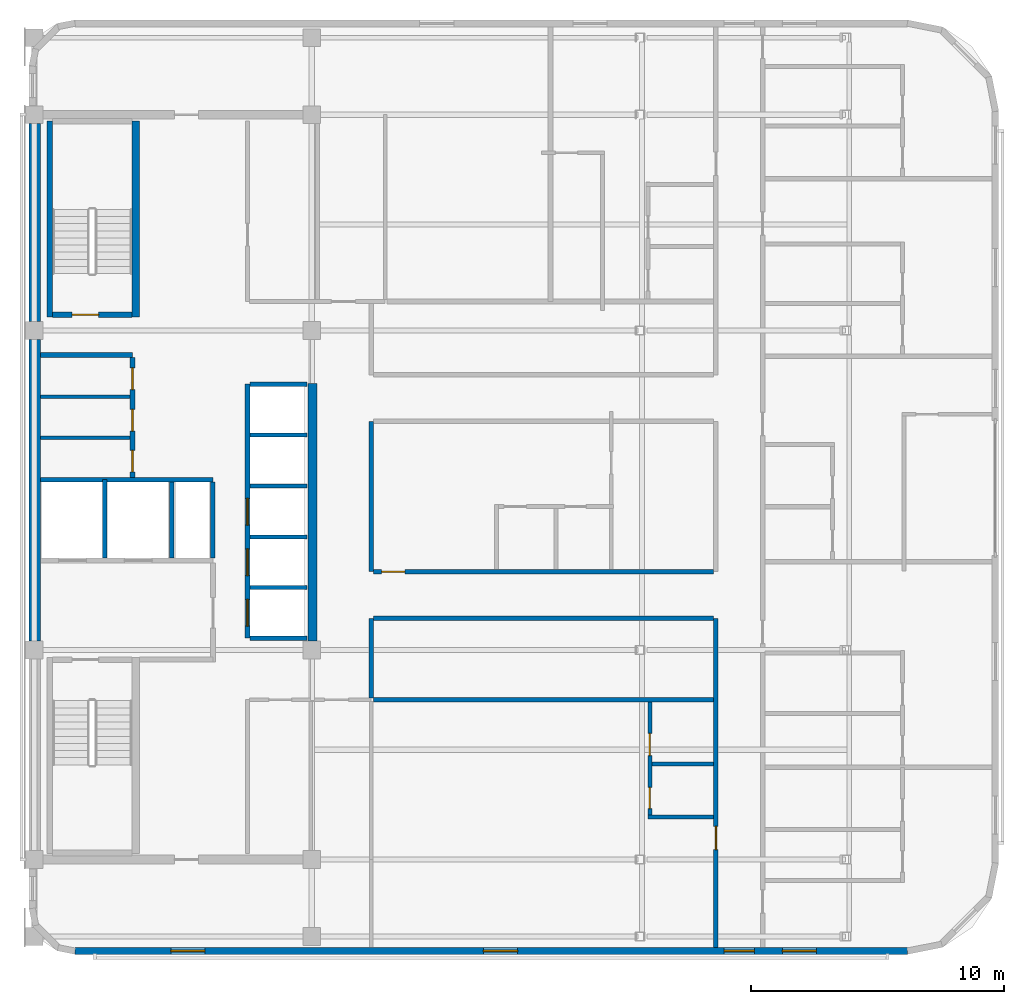
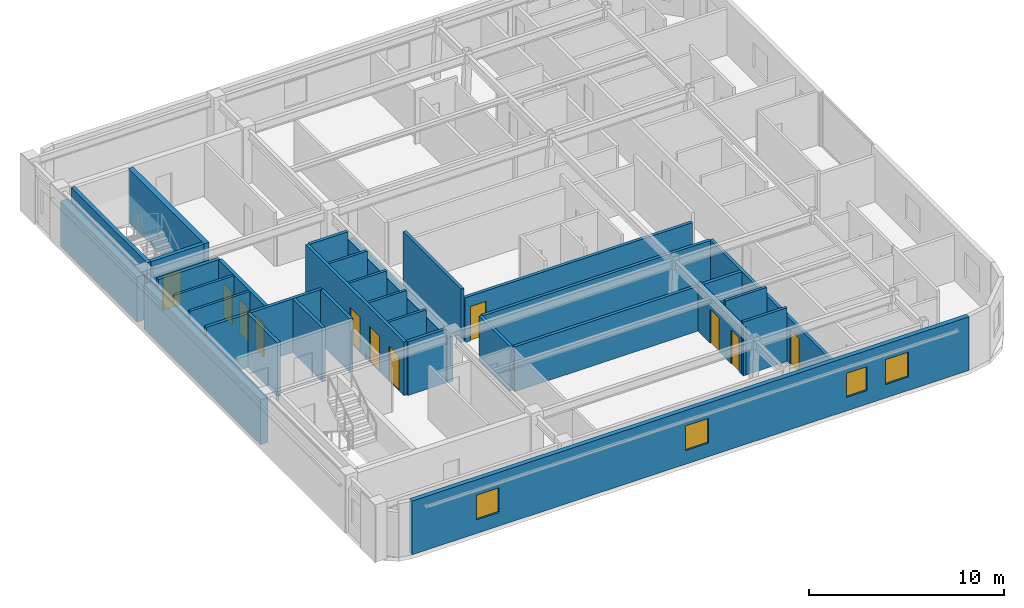
# One storey, part 4 of 10: 31 walls, 11 doors, 4 windows, 15 openings.
"""IFC4 building model written with IfcOpenShell, lengths in metres."""

from ifc_helpers import new_model, si_unit, direction, frame, frame_2d, origin, place, context, subcontext, project, spatial, rectangle, extrude, material, layer, layer_set, type_object, element, fill, save


model = new_model("IFC4")

# Units and contexts
model_context = context("Model", 3, precision=1e-05, world=origin(), true_north=direction((0.0, 1.0)))
body_context = subcontext(model_context, "Body", "Model", "MODEL_VIEW")
ifc_project = project(units=[si_unit("LENGTHUNIT", "METRE"), si_unit("AREAUNIT", "SQUARE_METRE"), si_unit("VOLUMEUNIT", "CUBIC_METRE"), si_unit("PLANEANGLEUNIT", "RADIAN"), si_unit("MASSUNIT", "GRAM", prefix="KILO")], contexts=[model_context])

# Site, building, storey
site_placement = place(None, origin())
site = spatial("IfcSite", under=ifc_project, at=site_placement, CompositionType="ELEMENT")
building_placement = place(site_placement, origin())
building = spatial("IfcBuilding", under=site, at=building_placement, Name="Ochreholt Gables", CompositionType="ELEMENT")
storey_placement = place(building_placement, frame((0.0, 0.0, 235.199951171875)))
storey = spatial("IfcBuildingStorey", under=building, at=storey_placement, Name="L61", CompositionType="ELEMENT", Elevation=235.199951171875)

# Walls
ifc_material_1 = material(Name="Concrete 50 MPa", Category="concrete")
ifc_layer_1 = layer(ifc_material_1, 0.35009765625, Name="Concrete 50 MPa")
ifc_layer_set_1 = layer_set([ifc_layer_1], Name="Concrete 50 MPa")
wall_type_1 = type_object("IfcWallType", Name="WALL-CSW-350", PredefinedType="SHEAR", material=ifc_layer_set_1)
wall_1_placement = place(storey_placement, frame((35.22509765625, 17.89990234375, 0.0), z_axis=(0.0, 0.0, 1.0), x_axis=(0.0, 1.0, 0.0)))
element("IfcWall", 1, at=wall_1_placement, inside=storey, type_object=wall_type_1, Name="L61 Core Central-East Shear Wall", PredefinedType="SHEAR", context=body_context, shape_type="SweptSolid", body=[
    extrude(rectangle(XDim=10.2001953125, YDim=0.35009765625, at=frame_2d((5.10009765625, 0.0))), origin(), (0.0, 0.0, 1.0), 2.821044921875),
])
ifc_layer_2 = layer(ifc_material_1, 0.449951171875, Name="Concrete 50 MPa")
ifc_layer_set_2 = layer_set([ifc_layer_2], Name="Concrete 50 MPa")
wall_type_2 = type_object("IfcWallType", Name="WALL-CSW-EXT", PredefinedType="SHEAR", material=ifc_layer_set_2)
wall_2_placement = place(storey_placement, frame((24.22509765625, 17.89990234375, 0.0), z_axis=(0.0, 0.0, 1.0), x_axis=(0.0, 1.0, 0.0)))
element("IfcWall", 2, at=wall_2_placement, inside=storey, type_object=wall_type_2, Name="L61 Core West Shear Wall WM", PredefinedType="SHEAR", context=body_context, shape_type="SweptSolid", body=[
    extrude(rectangle(XDim=11.9501953125, YDim=0.449951171875, at=frame_2d((5.97509765625, 0.0))), origin(), (0.0, 0.0, 1.0), 2.821044921875),
])
wall_3_placement = place(storey_placement, frame((24.22509765625, 30.550048828125, 0.0), z_axis=(0.0, 0.0, 1.0), x_axis=(0.0, 1.0, 0.0)))
element("IfcWall", 3, at=wall_3_placement, inside=storey, type_object=wall_type_2, Name="L61 Core West Shear Wall WN", PredefinedType="SHEAR", context=body_context, shape_type="SweptSolid", body=[
    extrude(rectangle(XDim=7.849853515625, YDim=0.449951171875, at=frame_2d((3.9248046875, 0.0))), origin(), (0.0, 0.0, 1.0), 2.821044921875),
])

# Wall, openings, windows
ifc_material_2 = material(Name="Precast concrete 40 MPa", Category="concrete")
ifc_layer_3 = layer(ifc_material_2, 0.27001953125, Name="Precast concrete 40 MPa")
ifc_layer_set_3 = layer_set([ifc_layer_3], Name="Precast concrete 40 MPa")
wall_type_3 = type_object("IfcWallType", Name="WALL-EXT-270", PredefinedType="SOLIDWALL", material=ifc_layer_set_3)
wall_4_placement = place(storey_placement, frame((25.820068359375, 5.635009765625, 0.0), z_axis=(0.0, 0.0, 1.0), x_axis=(1.0, 0.0, 0.0)))
wall_4 = element("IfcWall", 4, at=wall_4_placement, inside=storey, type_object=wall_type_3, Name="L61 South Exterior Wall", PredefinedType="SOLIDWALL", context=body_context, shape_type="SweptSolid", body=[
    extrude(rectangle(XDim=32.9599609375, YDim=0.27001953125, at=frame_2d((16.47998046875, 0.0))), origin(), (0.0, 0.0, 1.0), 3.360107421875),
])
opening_1_placement = place(wall_4_placement, frame((3.794921875, 0.0, 0.85009765625)))
opening_1 = element("IfcOpeningElement", 5, at=opening_1_placement, cuts=wall_4, Name="Opening WN-8", PredefinedType="OPENING", context=body_context, shape_type="SweptSolid", body=[
    extrude(rectangle(XDim=1.35009765625, YDim=1.550048828125, at=frame_2d((0.675048828125, 0.77490234375))), frame((0.0, 0.14501953125, 0.0), z_axis=(0.0, -1.0, 0.0), x_axis=(1.0, 0.0, 0.0)), (0.0, 0.0, 1.0), 0.2900390625),
])
opening_2_placement = place(wall_4_placement, frame((16.175537109375, 0.0, 0.85009765625)))
opening_2 = element("IfcOpeningElement", 6, at=opening_2_placement, cuts=wall_4, Name="Opening WN-8", PredefinedType="OPENING", context=body_context, shape_type="SweptSolid", body=[
    extrude(rectangle(XDim=1.35009765625, YDim=1.550048828125, at=frame_2d((0.675048828125, 0.77490234375))), frame((0.0, 0.14501953125, 0.0), z_axis=(0.0, -1.0, 0.0), x_axis=(1.0, 0.0, 0.0)), (0.0, 0.0, 1.0), 0.2900390625),
])
opening_3_placement = place(wall_4_placement, frame((25.705078125, 0.0, 0.85009765625)))
opening_3 = element("IfcOpeningElement", 7, at=opening_3_placement, cuts=wall_4, Name="Opening WN-3", PredefinedType="OPENING", context=body_context, shape_type="SweptSolid", body=[
    extrude(rectangle(XDim=1.199951171875, YDim=1.5, at=frame_2d((0.60009765625, 0.75))), frame((0.0, 0.14501953125, 0.0), z_axis=(0.0, -1.0, 0.0), x_axis=(1.0, 0.0, 0.0)), (0.0, 0.0, 1.0), 0.2900390625),
])
opening_4_placement = place(wall_4_placement, frame((28.011474609375, 0.0, 0.85009765625)))
opening_4 = element("IfcOpeningElement", 8, at=opening_4_placement, cuts=wall_4, Name="Opening WN-8", PredefinedType="OPENING", context=body_context, shape_type="SweptSolid", body=[
    extrude(rectangle(XDim=1.35009765625, YDim=1.550048828125, at=frame_2d((0.675048828125, 0.77490234375))), frame((0.0, 0.14501953125, 0.0), z_axis=(0.0, -1.0, 0.0), x_axis=(1.0, 0.0, 0.0)), (0.0, 0.0, 1.0), 0.2900390625),
])
ifc_material_3 = material(Name="Triple-Glazed Thermally Broken Aluminium Window", Category="aluminium")
window_type_1 = type_object("IfcWindowType", Name="WIN-RES-1200", PartitioningType="SINGLE_PANEL", PredefinedType="WINDOW", material=ifc_material_3)
window_1_placement = place(opening_3_placement, origin())
window_1 = element("IfcWindow", 9, at=window_1_placement, inside=storey, type_object=window_type_1, Name="L61 Window W-EXT-S-L61-3", OverallHeight=1.5, OverallWidth=1.199951171875, PartitioningType="SINGLE_PANEL", PredefinedType="WINDOW", context=body_context, shape_type="SweptSolid", body=[
    extrude(rectangle(XDim=1.199951171875, YDim=1.5, at=frame_2d((0.60009765625, 0.75))), frame((0.0, 0.030029296875, 0.0), z_axis=(0.0, -1.0, 0.0), x_axis=(1.0, 0.0, 0.0)), (0.0, 0.0, 1.0), 0.06005859375),
])
fill(opening_3, window_1)
window_type_2 = type_object("IfcWindowType", Name="WIN-RES-1350", PartitioningType="SINGLE_PANEL", PredefinedType="WINDOW", material=ifc_material_3)
window_2_placement = place(opening_1_placement, origin())
window_2 = element("IfcWindow", 10, at=window_2_placement, inside=storey, type_object=window_type_2, Name="L61 Window W-EXT-S-L61-1", OverallHeight=1.550048828125, OverallWidth=1.35009765625, PartitioningType="SINGLE_PANEL", PredefinedType="WINDOW", context=body_context, shape_type="SweptSolid", body=[
    extrude(rectangle(XDim=1.35009765625, YDim=1.550048828125, at=frame_2d((0.675048828125, 0.77490234375))), frame((0.0, 0.030029296875, 0.0), z_axis=(0.0, -1.0, 0.0), x_axis=(1.0, 0.0, 0.0)), (0.0, 0.0, 1.0), 0.06005859375),
])
fill(opening_1, window_2)
window_3_placement = place(opening_2_placement, origin())
window_3 = element("IfcWindow", 11, at=window_3_placement, inside=storey, type_object=window_type_2, Name="L61 Window W-EXT-S-L61-2", OverallHeight=1.550048828125, OverallWidth=1.35009765625, PartitioningType="SINGLE_PANEL", PredefinedType="WINDOW", context=body_context, shape_type="SweptSolid", body=[
    extrude(rectangle(XDim=1.35009765625, YDim=1.550048828125, at=frame_2d((0.675048828125, 0.77490234375))), frame((0.0, 0.030029296875, 0.0), z_axis=(0.0, -1.0, 0.0), x_axis=(1.0, 0.0, 0.0)), (0.0, 0.0, 1.0), 0.06005859375),
])
fill(opening_2, window_3)
window_4_placement = place(opening_4_placement, origin())
window_4 = element("IfcWindow", 12, at=window_4_placement, inside=storey, type_object=window_type_2, Name="L61 Window W-EXT-S-L61-4", OverallHeight=1.550048828125, OverallWidth=1.35009765625, PartitioningType="SINGLE_PANEL", PredefinedType="WINDOW", context=body_context, shape_type="SweptSolid", body=[
    extrude(rectangle(XDim=1.35009765625, YDim=1.550048828125, at=frame_2d((0.675048828125, 0.77490234375))), frame((0.0, 0.030029296875, 0.0), z_axis=(0.0, -1.0, 0.0), x_axis=(1.0, 0.0, 0.0)), (0.0, 0.0, 1.0), 0.06005859375),
])
fill(opening_4, window_4)

# Wall
ifc_material_4 = material(Name="Concrete 40 MPa", Category="concrete")
ifc_layer_4 = layer(ifc_material_4, 0.199951171875, Name="Concrete 40 MPa")
ifc_layer_set_4 = layer_set([ifc_layer_4], Name="Concrete 40 MPa")
wall_type_4 = type_object("IfcWallType", Name="WALL-INT-CF200", PredefinedType="STANDARD", material=ifc_layer_set_4)
wall_5_placement = place(storey_placement, frame((24.449951171875, 29.239990234375, 0.0), z_axis=(0.0, 0.0, 1.0), x_axis=(1.0, 0.0, 0.0)))
element("IfcWall", 13, at=wall_5_placement, inside=storey, type_object=wall_type_4, Name="L61 Interior Wall WI-SRVN-L61", PredefinedType="STANDARD", context=body_context, shape_type="SweptSolid", body=[
    extrude(rectangle(XDim=3.650146484375, YDim=0.199951171875, at=frame_2d((1.8251953125, 0.0))), origin(), (0.0, 0.0, 1.0), 3.360107421875),
])

# Wall, openings, doors
wall_6_placement = place(storey_placement, frame((28.10009765625, 24.389892578125, 0.0), z_axis=(0.0, 0.0, 1.0), x_axis=(0.0, 1.0, 0.0)))
wall_6 = element("IfcWall", 14, at=wall_6_placement, inside=storey, type_object=wall_type_4, Name="L61 Interior Wall WI-SRVE-L61", PredefinedType="STANDARD", context=body_context, shape_type="SweptSolid", body=[
    extrude(rectangle(XDim=4.75, YDim=0.199951171875, at=frame_2d((2.375, 0.0))), origin(), (0.0, 0.0, 1.0), 3.360107421875),
])
opening_5_placement = place(wall_6_placement, frame((0.2099609375, 0.0, 0.0)))
opening_5 = element("IfcOpeningElement", 15, at=opening_5_placement, cuts=wall_6, Name="Opening D-SV2", PredefinedType="OPENING", context=body_context, shape_type="SweptSolid", body=[
    extrude(rectangle(XDim=0.860107421875, YDim=2.10009765625, at=frame_2d((0.43017578125, 1.050048828125))), frame((0.0, 0.10986328125, 0.0), z_axis=(0.0, -1.0, 0.0), x_axis=(1.0, 0.0, 0.0)), (0.0, 0.0, 1.0), 0.219970703125),
])
opening_6_placement = place(wall_6_placement, frame((1.830078125, 0.0, 0.0)))
opening_6 = element("IfcOpeningElement", 16, at=opening_6_placement, cuts=wall_6, Name="Opening D-SV2", PredefinedType="OPENING", context=body_context, shape_type="SweptSolid", body=[
    extrude(rectangle(XDim=0.860107421875, YDim=2.10009765625, at=frame_2d((0.43017578125, 1.050048828125))), frame((0.0, 0.10986328125, 0.0), z_axis=(0.0, -1.0, 0.0), x_axis=(1.0, 0.0, 0.0)), (0.0, 0.0, 1.0), 0.219970703125),
])
opening_7_placement = place(wall_6_placement, frame((3.469970703125, 0.0, 0.0)))
opening_7 = element("IfcOpeningElement", 17, at=opening_7_placement, cuts=wall_6, Name="Opening D-SV2", PredefinedType="OPENING", context=body_context, shape_type="SweptSolid", body=[
    extrude(rectangle(XDim=0.860107421875, YDim=2.10009765625, at=frame_2d((0.43017578125, 1.050048828125))), frame((0.0, 0.10986328125, 0.0), z_axis=(0.0, -1.0, 0.0), x_axis=(1.0, 0.0, 0.0)), (0.0, 0.0, 1.0), 0.219970703125),
])
ifc_material_5 = material(Name="Hollow Metal Steel", Category="steel")
door_type_1 = type_object("IfcDoorType", Name="DR-INT-SRV860", OperationType="NOTDEFINED", PredefinedType="DOOR", material=ifc_material_5)
door_1_placement = place(opening_5_placement, origin())
door_1 = element("IfcDoor", 18, at=door_1_placement, inside=storey, type_object=door_type_1, Name="L61 Door D-SRV1-L61", OperationType="SINGLE_SWING_LEFT", OverallHeight=2.10009765625, OverallWidth=0.860107421875, PredefinedType="DOOR", context=body_context, shape_type="SweptSolid", body=[
    extrude(rectangle(XDim=0.860107421875, YDim=2.10009765625, at=frame_2d((0.43017578125, 1.050048828125))), frame((0.0, 0.02490234375, 0.0), z_axis=(0.0, -1.0, 0.0), x_axis=(1.0, 0.0, 0.0)), (0.0, 0.0, 1.0), 0.050048828125),
])
fill(opening_5, door_1)
door_2_placement = place(opening_6_placement, origin())
door_2 = element("IfcDoor", 19, at=door_2_placement, inside=storey, type_object=door_type_1, Name="L61 Door D-SRV2-L61", OperationType="SINGLE_SWING_RIGHT", OverallHeight=2.10009765625, OverallWidth=0.860107421875, PredefinedType="DOOR", context=body_context, shape_type="SweptSolid", body=[
    extrude(rectangle(XDim=0.860107421875, YDim=2.10009765625, at=frame_2d((0.43017578125, 1.050048828125))), frame((0.0, 0.02490234375, 0.0), z_axis=(0.0, -1.0, 0.0), x_axis=(1.0, 0.0, 0.0)), (0.0, 0.0, 1.0), 0.050048828125),
])
fill(opening_6, door_2)
door_3_placement = place(opening_7_placement, origin())
door_3 = element("IfcDoor", 20, at=door_3_placement, inside=storey, type_object=door_type_1, Name="L61 Door D-SRV3-L61", OperationType="SINGLE_SWING_LEFT", OverallHeight=2.10009765625, OverallWidth=0.860107421875, PredefinedType="DOOR", context=body_context, shape_type="SweptSolid", body=[
    extrude(rectangle(XDim=0.860107421875, YDim=2.10009765625, at=frame_2d((0.43017578125, 1.050048828125))), frame((0.0, 0.02490234375, 0.0), z_axis=(0.0, -1.0, 0.0), x_axis=(1.0, 0.0, 0.0)), (0.0, 0.0, 1.0), 0.050048828125),
])
fill(opening_7, door_3)

# Walls
ifc_material_6 = material(Name="Fire-Rated Gypsum Acoustic Partition", Category="gypsum")
ifc_layer_5 = layer(ifc_material_6, 0.179931640625, Name="Fire-Rated Gypsum Acoustic Partition")
ifc_layer_set_5 = layer_set([ifc_layer_5], Name="Fire-Rated Gypsum Acoustic Partition")
wall_type_5 = type_object("IfcWallType", Name="WALL-INT-CR180", PredefinedType="STANDARD", material=ifc_layer_set_5)
wall_7_placement = place(storey_placement, frame((37.550048828125, 15.652587890625, 0.0), z_axis=(0.0, 0.0, 1.0), x_axis=(0.0, 1.0, 0.0)))
element("IfcWall", 21, at=wall_7_placement, inside=storey, type_object=wall_type_5, Name="L61 Interior Wall WI-C3CE0-L61", PredefinedType="STANDARD", context=body_context, shape_type="SweptSolid", body=[
    extrude(rectangle(XDim=3.1474609375, YDim=0.179931640625, at=frame_2d((1.57373046875, 0.0))), origin(), (0.0, 0.0, 1.0), 2.802978515625),
])
wall_8_placement = place(storey_placement, frame((37.550048828125, 20.64990234375, 0.0), z_axis=(0.0, 0.0, 1.0), x_axis=(0.0, 1.0, 0.0)))
element("IfcWall", 22, at=wall_8_placement, inside=storey, type_object=wall_type_5, Name="L61 Interior Wall WI-C3CE2-L61", PredefinedType="STANDARD", context=body_context, shape_type="SweptSolid", body=[
    extrude(rectangle(XDim=5.9501953125, YDim=0.179931640625, at=frame_2d((2.97509765625, 0.0))), origin(), (0.0, 0.0, 1.0), 3.360107421875),
])

# Wall, opening, door
wall_9_placement = place(storey_placement, frame((51.199951171875, 5.77001953125, 0.0), z_axis=(0.0, 0.0, 1.0), x_axis=(0.0, 1.0, 0.0)))
wall_9 = element("IfcWall", 23, at=wall_9_placement, inside=storey, type_object=wall_type_5, Name="L61 Interior Wall WI-C3GW0-L61", PredefinedType="STANDARD", context=body_context, shape_type="SweptSolid", body=[
    extrude(rectangle(XDim=13.030029296875, YDim=0.179931640625, at=frame_2d((6.51513671875, 0.0))), origin(), (0.0, 0.0, 1.0), 2.802978515625),
])
opening_8_placement = place(wall_9_placement, frame((3.8701171875, 0.0, 0.0)))
opening_8 = element("IfcOpeningElement", 24, at=opening_8_placement, cuts=wall_9, Name="Opening D-UN1", PredefinedType="OPENING", context=body_context, shape_type="SweptSolid", body=[
    extrude(rectangle(XDim=0.919921875, YDim=2.14990234375, at=frame_2d((0.4599609375, 1.074951171875))), frame((0.0, 0.099853515625, 0.0), z_axis=(0.0, -1.0, 0.0), x_axis=(1.0, 0.0, 0.0)), (0.0, 0.0, 1.0), 0.199951171875),
])
ifc_material_7 = material(Name="Engineered Oak Timber", Category="wood")
door_type_2 = type_object("IfcDoorType", Name="DR-INT-UNT920", OperationType="NOTDEFINED", PredefinedType="DOOR", material=ifc_material_7)
door_4_placement = place(opening_8_placement, origin())
door_4 = element("IfcDoor", 25, at=door_4_placement, inside=storey, type_object=door_type_2, Name="L61 Door D-U-L61SM1-ENT", OperationType="SINGLE_SWING_LEFT", OverallHeight=2.14990234375, OverallWidth=0.919921875, PredefinedType="DOOR", context=body_context, shape_type="SweptSolid", body=[
    extrude(rectangle(XDim=0.919921875, YDim=2.14990234375, at=frame_2d((0.4599609375, 1.074951171875))), frame((0.0, 0.02490234375, 0.0), z_axis=(0.0, -1.0, 0.0), x_axis=(1.0, 0.0, 0.0)), (0.0, 0.0, 1.0), 0.050048828125),
])
fill(opening_8, door_4)

# Wall
wall_10_placement = place(storey_placement, frame((37.639892578125, 18.800048828125, 0.0), z_axis=(0.0, 0.0, 1.0), x_axis=(1.0, 0.0, 0.0)))
element("IfcWall", 26, at=wall_10_placement, inside=storey, type_object=wall_type_5, Name="L61 Interior Wall WI-C3BRS1-L61", PredefinedType="STANDARD", context=body_context, shape_type="SweptSolid", body=[
    extrude(rectangle(XDim=13.47021484375, YDim=0.179931640625, at=frame_2d((6.735107421875, 0.0))), origin(), (0.0, 0.0, 1.0), 2.802978515625),
])

# Wall, opening, door
wall_11_placement = place(storey_placement, frame((37.639892578125, 20.64990234375, 0.0), z_axis=(0.0, 0.0, 1.0), x_axis=(1.0, 0.0, 0.0)))
wall_11 = element("IfcWall", 27, at=wall_11_placement, inside=storey, type_object=wall_type_5, Name="L61 Interior Wall WI-C3BRN1-L61", PredefinedType="STANDARD", context=body_context, shape_type="SweptSolid", body=[
    extrude(rectangle(XDim=13.47021484375, YDim=0.179931640625, at=frame_2d((6.735107421875, 0.0))), origin(), (0.0, 0.0, 1.0), 2.802978515625),
])
opening_9_placement = place(wall_11_placement, frame((0.320068359375, 0.0, 0.0)))
opening_9 = element("IfcOpeningElement", 28, at=opening_9_placement, cuts=wall_11, Name="Opening D-UN1", PredefinedType="OPENING", context=body_context, shape_type="SweptSolid", body=[
    extrude(rectangle(XDim=0.919921875, YDim=2.14990234375, at=frame_2d((0.4599609375, 1.074951171875))), frame((0.0, 0.099853515625, 0.0), z_axis=(0.0, -1.0, 0.0), x_axis=(1.0, 0.0, 0.0)), (0.0, 0.0, 1.0), 0.199951171875),
])
door_5_placement = place(opening_9_placement, origin())
door_5 = element("IfcDoor", 29, at=door_5_placement, inside=storey, type_object=door_type_2, Name="L61 Door D-U-L61MC1-ENT", OperationType="SINGLE_SWING_LEFT", OverallHeight=2.14990234375, OverallWidth=0.919921875, PredefinedType="DOOR", context=body_context, shape_type="SweptSolid", body=[
    extrude(rectangle(XDim=0.919921875, YDim=2.14990234375, at=frame_2d((0.4599609375, 1.074951171875))), frame((0.0, 0.02490234375, 0.0), z_axis=(0.0, -1.0, 0.0), x_axis=(1.0, 0.0, 0.0)), (0.0, 0.0, 1.0), 0.050048828125),
])
fill(opening_9, door_5)

# Walls
ifc_material_8 = material(Name="Double-Stud Acoustic Demising Wall", Category="gypsum")
ifc_layer_6 = layer(ifc_material_8, 0.18505859375, Name="Double-Stud Acoustic Demising Wall")
ifc_layer_set_6 = layer_set([ifc_layer_6], Name="Double-Stud Acoustic Demising Wall")
wall_type_6 = type_object("IfcWallType", Name="WALL-INT-DM185", PredefinedType="PARTITIONING", material=ifc_layer_set_6)
wall_12_placement = place(storey_placement, frame((37.639892578125, 15.580078125, 0.0), z_axis=(0.0, 0.0, 1.0), x_axis=(1.0, 0.0, 0.0)))
element("IfcWall", 30, at=wall_12_placement, inside=storey, type_object=wall_type_6, Name="L61 Interior Wall WI-C3SMY-L61", PredefinedType="PARTITIONING", context=body_context, shape_type="SweptSolid", body=[
    extrude(rectangle(XDim=13.47021484375, YDim=0.18505859375, at=frame_2d((6.735107421875, 0.0))), origin(), (0.0, 0.0, 1.0), 2.802978515625),
])
ifc_material_9 = material(Name="Moisture-Resistant Plumbing Chase Wall", Category="gypsum")
ifc_layer_7 = layer(ifc_material_9, 0.159912109375, Name="Moisture-Resistant Plumbing Chase Wall")
ifc_layer_set_7 = layer_set([ifc_layer_7], Name="Moisture-Resistant Plumbing Chase Wall")
wall_type_7 = type_object("IfcWallType", Name="WALL-INT-PL160", PredefinedType="PLUMBINGWALL", material=ifc_layer_set_7)
wall_13_placement = place(storey_placement, frame((48.50390625, 10.93994140625, 0.0), z_axis=(0.0, 0.0, 1.0), x_axis=(1.0, 0.0, 0.0)))
element("IfcWall", 31, at=wall_13_placement, inside=storey, type_object=wall_type_7, Name="L61 Interior Wall WU-L61SM1-WYS", PredefinedType="PLUMBINGWALL", context=body_context, shape_type="SweptSolid", body=[
    extrude(rectangle(XDim=2.606201171875, YDim=0.159912109375, at=frame_2d((1.30322265625, 0.0))), origin(), (0.0, 0.0, 1.0), 3.360107421875),
])

# Wall, openings, doors
wall_14_placement = place(storey_placement, frame((48.583984375, 10.85009765625, 0.0), z_axis=(0.0, 0.0, 1.0), x_axis=(0.0, 1.0, 0.0)))
wall_14 = element("IfcWall", 32, at=wall_14_placement, inside=storey, type_object=wall_type_7, Name="L61 Interior Wall WU-L61SM1-WX", PredefinedType="PLUMBINGWALL", context=body_context, shape_type="SweptSolid", body=[
    extrude(rectangle(XDim=4.637451171875, YDim=0.159912109375, at=frame_2d((2.31884765625, 0.0))), origin(), (0.0, 0.0, 1.0), 3.0390625),
])
opening_10_placement = place(wall_14_placement, frame((0.419921875, 0.0, 0.0)))
opening_10 = element("IfcOpeningElement", 33, at=opening_10_placement, cuts=wall_14, Name="Opening D-BT2", PredefinedType="OPENING", context=body_context, shape_type="SweptSolid", body=[
    extrude(rectangle(XDim=0.840087890625, YDim=2.1201171875, at=frame_2d((0.419921875, 1.06005859375))), frame((0.0, 0.08984375, 0.0), z_axis=(0.0, -1.0, 0.0), x_axis=(1.0, 0.0, 0.0)), (0.0, 0.0, 1.0), 0.179931640625),
])
opening_11_placement = place(wall_14_placement, frame((2.512939453125, 0.0, 0.0)))
opening_11 = element("IfcOpeningElement", 34, at=opening_11_placement, cuts=wall_14, Name="Opening D-GN2", PredefinedType="OPENING", context=body_context, shape_type="SweptSolid", body=[
    extrude(rectangle(XDim=0.8798828125, YDim=2.1201171875, at=frame_2d((0.43994140625, 1.06005859375))), frame((0.0, 0.08984375, 0.0), z_axis=(0.0, -1.0, 0.0), x_axis=(1.0, 0.0, 0.0)), (0.0, 0.0, 1.0), 0.179931640625),
])
door_type_3 = type_object("IfcDoorType", Name="DR-INT-BTH840", OperationType="NOTDEFINED", PredefinedType="DOOR", material=ifc_material_7)
door_6_placement = place(opening_10_placement, origin())
door_6 = element("IfcDoor", 35, at=door_6_placement, inside=storey, type_object=door_type_3, Name="L61 Door D-U-L61SM1-BTH", OperationType="SINGLE_SWING_RIGHT", OverallHeight=2.1201171875, OverallWidth=0.840087890625, PredefinedType="DOOR", context=body_context, shape_type="SweptSolid", body=[
    extrude(rectangle(XDim=0.840087890625, YDim=2.1201171875, at=frame_2d((0.419921875, 1.06005859375))), frame((0.0, 0.02490234375, 0.0), z_axis=(0.0, -1.0, 0.0), x_axis=(1.0, 0.0, 0.0)), (0.0, 0.0, 1.0), 0.050048828125),
])
fill(opening_10, door_6)
door_type_4 = type_object("IfcDoorType", Name="DR-INT-GEN880", OperationType="NOTDEFINED", PredefinedType="DOOR", material=ifc_material_7)
door_7_placement = place(opening_11_placement, origin())
door_7 = element("IfcDoor", 36, at=door_7_placement, inside=storey, type_object=door_type_4, Name="L61 Door D-U-L61SM1-KIT", OperationType="SINGLE_SWING_LEFT", OverallHeight=2.1201171875, OverallWidth=0.8798828125, PredefinedType="DOOR", context=body_context, shape_type="SweptSolid", body=[
    extrude(rectangle(XDim=0.8798828125, YDim=2.1201171875, at=frame_2d((0.43994140625, 1.06005859375))), frame((0.0, 0.02490234375, 0.0), z_axis=(0.0, -1.0, 0.0), x_axis=(1.0, 0.0, 0.0)), (0.0, 0.0, 1.0), 0.050048828125),
])
fill(opening_11, door_7)

# Walls
wall_15_placement = place(storey_placement, frame((48.6640625, 13.032958984375, 0.0), z_axis=(0.0, 0.0, 1.0), x_axis=(1.0, 0.0, 0.0)))
element("IfcWall", 37, at=wall_15_placement, inside=storey, type_object=wall_type_7, Name="L61 Interior Wall WU-L61SM1-WM", PredefinedType="PLUMBINGWALL", context=body_context, shape_type="SweptSolid", body=[
    extrude(rectangle(XDim=2.446044921875, YDim=0.159912109375, at=frame_2d((1.22314453125, 0.0))), origin(), (0.0, 0.0, 1.0), 3.360107421875),
])
ifc_material_10 = material(Name="Lightweight Stud Partition", Category="gypsum")
ifc_layer_8 = layer(ifc_material_10, 0.14501953125, Name="Lightweight Stud Partition")
ifc_layer_set_8 = layer_set([ifc_layer_8], Name="Lightweight Stud Partition")
wall_type_8 = type_object("IfcWallType", Name="WALL-INT-PT145", PredefinedType="PARTITIONING", material=ifc_layer_set_8)
for number, where, z_axis, x_axis, name in (
    (38, (24.449951171875, 25.949951171875, 0.0), (0.0, 0.0, 1.0), (1.0, 0.0, 0.0), "L61 Interior Wall WI-SRVP1-L61"),
    (39, (24.449951171875, 27.580078125, 0.0), (0.0, 0.0, 1.0), (1.0, 0.0, 0.0), "L61 Interior Wall WI-SRVP2-L61"),
):
    element("IfcWall", number, at=place(storey_placement, frame(where, z_axis=z_axis, x_axis=x_axis)), inside=storey, type_object=wall_type_8, Name=name, PredefinedType="PARTITIONING", context=body_context, shape_type="SweptSolid", body=[
        extrude(rectangle(XDim=3.550048828125, YDim=0.14501953125, at=frame_2d((1.77490234375, 0.0))), origin(), (0.0, 0.0, 1.0), 3.360107421875),
    ])
ifc_material_11 = material(Name="Gypsum Shaftliner and Steel Stud", Category="steel")
ifc_layer_9 = layer(ifc_material_11, 0.14990234375, Name="Gypsum Shaftliner and Steel Stud")
ifc_layer_set_9 = layer_set([ifc_layer_9], Name="Gypsum Shaftliner and Steel Stud")
wall_type_9 = type_object("IfcWallType", Name="WALL-INT-SH150", PredefinedType="STANDARD", material=ifc_layer_set_9)
for number, where, z_axis, x_axis, name in (
    (40, (32.739990234375, 20.02001953125, 0.0), (0.0, 0.0, 1.0), (1.0, 0.0, 0.0), "L61 Interior Wall WI-LFHE-DH1-L61"),
    (41, (32.739990234375, 22.02001953125, 0.0), (0.0, 0.0, 1.0), (1.0, 0.0, 0.0), "L61 Interior Wall WI-LFHE-DH2-L61"),
    (42, (32.739990234375, 24.050048828125, 0.0), (0.0, 0.0, 1.0), (1.0, 0.0, 0.0), "L61 Interior Wall WI-LFHE-DHE-L61"),
    (43, (32.739990234375, 26.070068359375, 0.0), (0.0, 0.0, 1.0), (1.0, 0.0, 0.0), "L61 Interior Wall WI-LFHE-DEX1-L61"),
):
    element("IfcWall", number, at=place(storey_placement, frame(where, z_axis=z_axis, x_axis=x_axis)), inside=storey, type_object=wall_type_9, Name=name, PredefinedType="STANDARD", context=body_context, shape_type="SweptSolid", body=[
        extrude(rectangle(XDim=2.260009765625, YDim=0.14990234375, at=frame_2d((1.1298828125, 0.0))), origin(), (0.0, 0.0, 1.0), 3.360107421875),
    ])
ifc_layer_10 = layer(ifc_material_11, 0.179931640625, Name="Gypsum Shaftliner and Steel Stud")
ifc_layer_set_10 = layer_set([ifc_layer_10], Name="Gypsum Shaftliner and Steel Stud")
wall_type_10 = type_object("IfcWallType", Name="WALL-INT-SH180", PredefinedType="STANDARD", material=ifc_layer_set_10)
wall_16_placement = place(storey_placement, frame((27.0, 21.18994140625, 0.0), z_axis=(0.0, 0.0, 1.0), x_axis=(0.0, 1.0, 0.0)))
element("IfcWall", 44, at=wall_16_placement, inside=storey, type_object=wall_type_10, Name="L61 Interior Wall WI-FFDIV-L61", PredefinedType="STANDARD", context=body_context, shape_type="SweptSolid", body=[
    extrude(rectangle(XDim=3.110107421875, YDim=0.179931640625, at=frame_2d((1.55517578125, 0.0))), origin(), (0.0, 0.0, 1.0), 3.360107421875),
])
wall_17_placement = place(storey_placement, frame((24.449951171875, 24.300048828125, 0.0), z_axis=(0.0, 0.0, 1.0), x_axis=(1.0, 0.0, 0.0)))
element("IfcWall", 45, at=wall_17_placement, inside=storey, type_object=wall_type_10, Name="L61 Interior Wall WI-FFBK-L61", PredefinedType="STANDARD", context=body_context, shape_type="SweptSolid", body=[
    extrude(rectangle(XDim=6.830078125, YDim=0.179931640625, at=frame_2d((3.4150390625, 0.0))), origin(), (0.0, 0.0, 1.0), 3.360107421875),
])
for number, where, z_axis, x_axis, name in (
    (46, (29.64990234375, 21.18994140625, 0.0), (0.0, 0.0, 1.0), (0.0, 1.0, 0.0), "L61 Interior Wall WI-FFSH-L61"),
    (47, (31.280029296875, 21.18994140625, 0.0), (0.0, 0.0, 1.0), (0.0, 1.0, 0.0), "L61 Interior Wall WI-RSE-L61"),
):
    element("IfcWall", number, at=place(storey_placement, frame(where, z_axis=z_axis, x_axis=x_axis)), inside=storey, type_object=wall_type_10, Name=name, PredefinedType="STANDARD", context=body_context, shape_type="SweptSolid", body=[
        extrude(rectangle(XDim=3.02001953125, YDim=0.179931640625, at=frame_2d((1.510009765625, 0.0))), origin(), (0.0, 0.0, 1.0), 3.360107421875),
    ])

# Wall, openings, doors
wall_18_placement = place(storey_placement, frame((32.64990234375, 18.02001953125, 0.0), z_axis=(0.0, 0.0, 1.0), x_axis=(0.0, 1.0, 0.0)))
wall_18 = element("IfcWall", 48, at=wall_18_placement, inside=storey, type_object=wall_type_10, Name="L61 Interior Wall WI-LFHE-FR-L61", PredefinedType="STANDARD", context=body_context, shape_type="SweptSolid", body=[
    extrude(rectangle(XDim=10.06005859375, YDim=0.179931640625, at=frame_2d((5.030029296875, 0.0))), origin(), (0.0, 0.0, 1.0), 3.360107421875),
])
opening_12_placement = place(wall_18_placement, frame((0.47998046875, 0.0, 0.0)))
opening_12 = element("IfcOpeningElement", 49, at=opening_12_placement, cuts=wall_18, Name="Opening LD-PX", PredefinedType="OPENING", context=body_context, shape_type="SweptSolid", body=[
    extrude(rectangle(XDim=1.050048828125, YDim=2.199951171875, at=frame_2d((0.52490234375, 1.10009765625))), frame((0.0, 0.099853515625, 0.0), z_axis=(0.0, -1.0, 0.0), x_axis=(1.0, 0.0, 0.0)), (0.0, 0.0, 1.0), 0.199951171875),
])
opening_13_placement = place(wall_18_placement, frame((2.47998046875, 0.0, 0.0)))
opening_13 = element("IfcOpeningElement", 50, at=opening_13_placement, cuts=wall_18, Name="Opening LD-PX", PredefinedType="OPENING", context=body_context, shape_type="SweptSolid", body=[
    extrude(rectangle(XDim=1.050048828125, YDim=2.199951171875, at=frame_2d((0.52490234375, 1.10009765625))), frame((0.0, 0.099853515625, 0.0), z_axis=(0.0, -1.0, 0.0), x_axis=(1.0, 0.0, 0.0)), (0.0, 0.0, 1.0), 0.199951171875),
])
opening_14_placement = place(wall_18_placement, frame((4.47998046875, 0.0, 0.0)))
opening_14 = element("IfcOpeningElement", 51, at=opening_14_placement, cuts=wall_18, Name="Opening LD-PX", PredefinedType="OPENING", context=body_context, shape_type="SweptSolid", body=[
    extrude(rectangle(XDim=1.050048828125, YDim=2.199951171875, at=frame_2d((0.52490234375, 1.10009765625))), frame((0.0, 0.099853515625, 0.0), z_axis=(0.0, -1.0, 0.0), x_axis=(1.0, 0.0, 0.0)), (0.0, 0.0, 1.0), 0.199951171875),
])
ifc_material_12 = material(Name="Stainless Steel", Category="steel")
door_type_5 = type_object("IfcDoorType", Name="DR-LFT-PX1050", OperationType="NOTDEFINED", PredefinedType="DOOR", material=ifc_material_12)
door_8_placement = place(opening_12_placement, origin())
door_8 = element("IfcDoor", 52, at=door_8_placement, inside=storey, type_object=door_type_5, Name="L61 Door LD-LF-H1-L61", OperationType="SLIDING_TO_LEFT", OverallHeight=2.199951171875, OverallWidth=1.050048828125, PredefinedType="DOOR", context=body_context, shape_type="SweptSolid", body=[
    extrude(rectangle(XDim=1.050048828125, YDim=2.199951171875, at=frame_2d((0.52490234375, 1.10009765625))), frame((0.0, 0.02490234375, 0.0), z_axis=(0.0, -1.0, 0.0), x_axis=(1.0, 0.0, 0.0)), (0.0, 0.0, 1.0), 0.050048828125),
])
fill(opening_12, door_8)
door_9_placement = place(opening_13_placement, origin())
door_9 = element("IfcDoor", 53, at=door_9_placement, inside=storey, type_object=door_type_5, Name="L61 Door LD-LF-H2-L61", OperationType="SLIDING_TO_LEFT", OverallHeight=2.199951171875, OverallWidth=1.050048828125, PredefinedType="DOOR", context=body_context, shape_type="SweptSolid", body=[
    extrude(rectangle(XDim=1.050048828125, YDim=2.199951171875, at=frame_2d((0.52490234375, 1.10009765625))), frame((0.0, 0.02490234375, 0.0), z_axis=(0.0, -1.0, 0.0), x_axis=(1.0, 0.0, 0.0)), (0.0, 0.0, 1.0), 0.050048828125),
])
fill(opening_13, door_9)
door_10_placement = place(opening_14_placement, origin())
door_10 = element("IfcDoor", 54, at=door_10_placement, inside=storey, type_object=door_type_5, Name="L61 Door LD-LF-H3-L61", OperationType="SLIDING_TO_LEFT", OverallHeight=2.199951171875, OverallWidth=1.050048828125, PredefinedType="DOOR", context=body_context, shape_type="SweptSolid", body=[
    extrude(rectangle(XDim=1.050048828125, YDim=2.199951171875, at=frame_2d((0.52490234375, 1.10009765625))), frame((0.0, 0.02490234375, 0.0), z_axis=(0.0, -1.0, 0.0), x_axis=(1.0, 0.0, 0.0)), (0.0, 0.0, 1.0), 0.050048828125),
])
fill(opening_14, door_10)

# Walls
for number, where, z_axis, x_axis, name in (
    (55, (32.739990234375, 18.02001953125, 0.0), (0.0, 0.0, 1.0), (1.0, 0.0, 0.0), "L61 Interior Wall WI-LFHE-S-L61"),
    (56, (32.739990234375, 28.080078125, 0.0), (0.0, 0.0, 1.0), (1.0, 0.0, 0.0), "L61 Interior Wall WI-LFHE-N-L61"),
):
    element("IfcWall", number, at=place(storey_placement, frame(where, z_axis=z_axis, x_axis=x_axis)), inside=storey, type_object=wall_type_10, Name=name, PredefinedType="STANDARD", context=body_context, shape_type="SweptSolid", body=[
        extrude(rectangle(XDim=2.260009765625, YDim=0.179931640625, at=frame_2d((1.1298828125, 0.0))), origin(), (0.0, 0.0, 1.0), 3.360107421875),
    ])
ifc_material_13 = material(Name="Concrete 60 MPa", Category="concrete")
ifc_layer_11 = layer(ifc_material_13, 0.300048828125, Name="Concrete 60 MPa")
ifc_layer_set_11 = layer_set([ifc_layer_11], Name="Concrete 60 MPa")
wall_type_11 = type_object("IfcWallType", Name="WALL-SPN-300", PredefinedType="SHEAR", material=ifc_layer_set_11)
wall_19_placement = place(storey_placement, frame((28.22998046875, 30.739990234375, 0.0), z_axis=(0.0, 0.0, 1.0), x_axis=(0.0, 1.0, 0.0)))
element("IfcWall", 57, at=wall_19_placement, inside=storey, type_object=wall_type_11, Name="L61 Core North Spine Shear Wall", PredefinedType="SHEAR", context=body_context, shape_type="SweptSolid", body=[
    extrude(rectangle(XDim=7.760009765625, YDim=0.300048828125, at=frame_2d((3.8798828125, 0.0))), origin(), (0.0, 0.0, 1.0), 3.360107421875),
])
ifc_layer_12 = layer(ifc_material_1, 0.219970703125, Name="Concrete 50 MPa")
ifc_layer_set_12 = layer_set([ifc_layer_12], Name="Concrete 50 MPa")
wall_type_12 = type_object("IfcWallType", Name="WALL-STW-220", PredefinedType="SHEAR", material=ifc_layer_set_12)
wall_20_placement = place(storey_placement, frame((24.81005859375, 30.739990234375, 0.0), z_axis=(0.0, 0.0, 1.0), x_axis=(0.0, 1.0, 0.0)))
element("IfcWall", 58, at=wall_20_placement, inside=storey, type_object=wall_type_12, Name="L61 Exit Stair 2 West Wall", PredefinedType="SHEAR", context=body_context, shape_type="SweptSolid", body=[
    extrude(rectangle(XDim=7.760009765625, YDim=0.219970703125, at=frame_2d((3.8798828125, 0.0))), origin(), (0.0, 0.0, 1.0), 3.360107421875),
])

# Wall, opening, door
wall_21_placement = place(storey_placement, frame((24.919921875, 30.830078125, 0.0), z_axis=(0.0, 0.0, 1.0), x_axis=(1.0, 0.0, 0.0)))
wall_21 = element("IfcWall", 59, at=wall_21_placement, inside=storey, type_object=wall_type_12, Name="L61 Exit Stair 2 South Wall", PredefinedType="SHEAR", context=body_context, shape_type="SweptSolid", body=[
    extrude(rectangle(XDim=3.16015625, YDim=0.219970703125, at=frame_2d((1.580078125, 0.0))), origin(), (0.0, 0.0, 1.0), 3.360107421875),
])
opening_15_placement = place(wall_21_placement, frame((0.780029296875, 0.0, 0.0)))
opening_15 = element("IfcOpeningElement", 60, at=opening_15_placement, cuts=wall_21, Name="Opening D-STC", PredefinedType="OPENING", context=body_context, shape_type="SweptSolid", body=[
    extrude(rectangle(XDim=1.050048828125, YDim=2.14990234375, at=frame_2d((0.52490234375, 1.074951171875))), frame((0.0, 0.119873046875, 0.0), z_axis=(0.0, -1.0, 0.0), x_axis=(1.0, 0.0, 0.0)), (0.0, 0.0, 1.0), 0.239990234375),
])
door_type_6 = type_object("IfcDoorType", Name="DR-INT-ST1050", OperationType="NOTDEFINED", PredefinedType="DOOR", material=ifc_material_5)
door_11_placement = place(opening_15_placement, origin())
door_11 = element("IfcDoor", 61, at=door_11_placement, inside=storey, type_object=door_type_6, Name="L61 Door D-ST2-L61", OperationType="SINGLE_SWING_RIGHT", OverallHeight=2.14990234375, OverallWidth=1.050048828125, PredefinedType="DOOR", context=body_context, shape_type="SweptSolid", body=[
    extrude(rectangle(XDim=1.050048828125, YDim=2.14990234375, at=frame_2d((0.52490234375, 1.074951171875))), frame((0.0, 0.02490234375, 0.0), z_axis=(0.0, -1.0, 0.0), x_axis=(1.0, 0.0, 0.0)), (0.0, 0.0, 1.0), 0.050048828125),
])
fill(opening_15, door_11)

save(model, "model.ifc")
